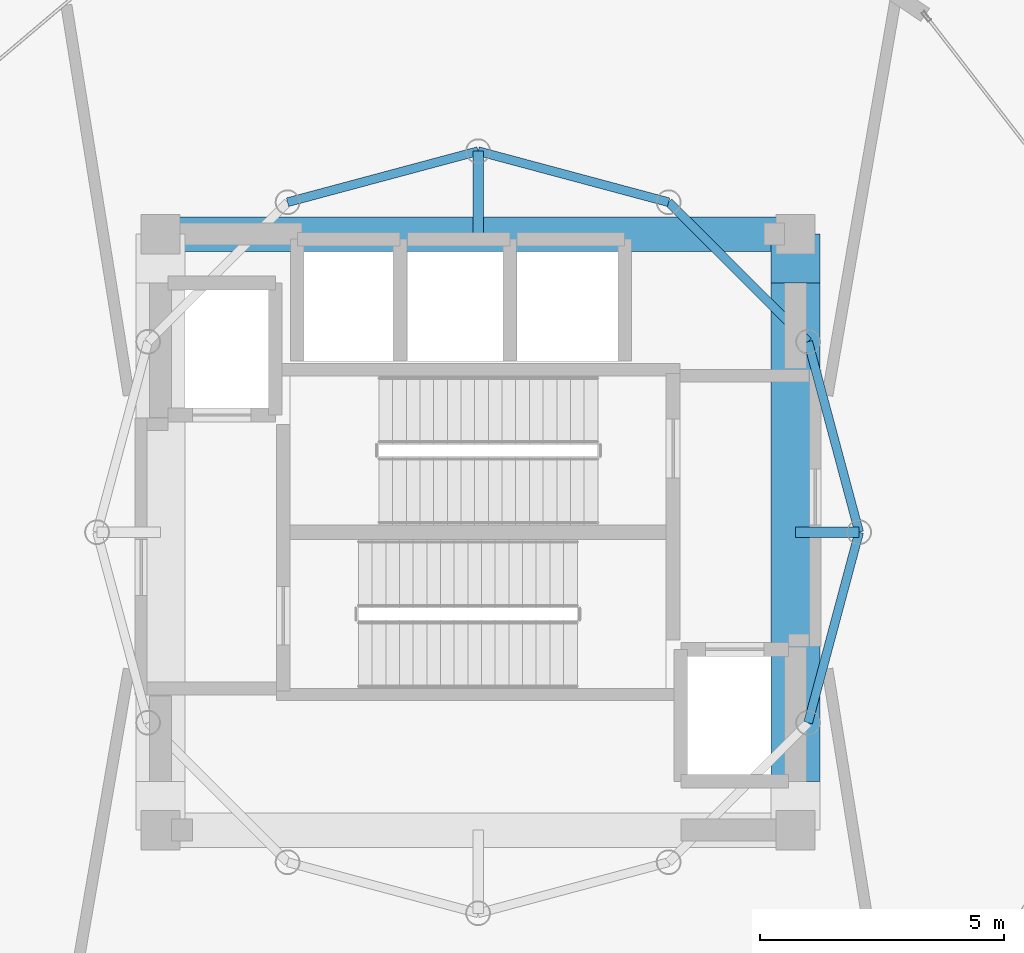
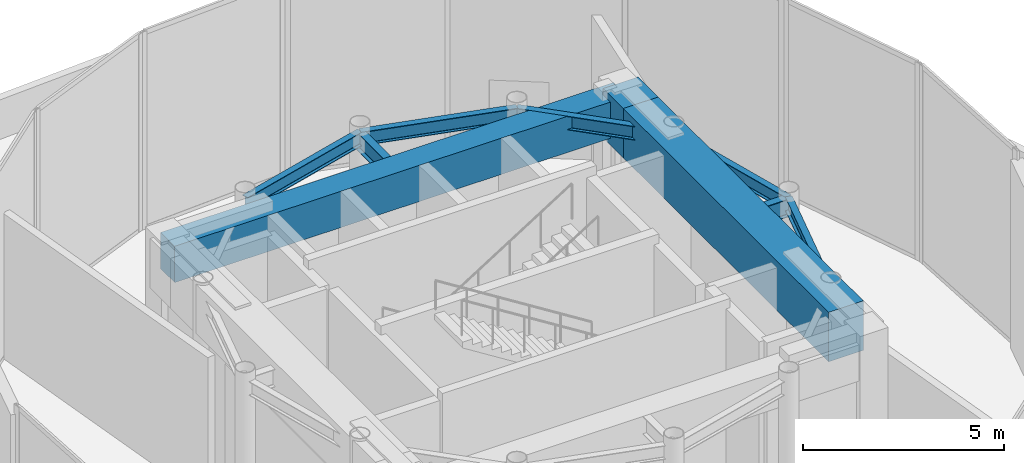
# One storey, part 6 of 12: 10 beams.
"""IFC4 building model written with IfcOpenShell, lengths in metres."""

from ifc_helpers import new_model, si_unit, direction, frame, origin, origin_2d, place, context, subcontext, project, spatial, rectangle, i_section, extrude, material, material_profile, profile_set, type_object, element, save


model = new_model("IFC4")

# Units and contexts
model_context = context("Model", 3, precision=1e-05, world=origin(), true_north=direction((0.0, 1.0)))
body_context = subcontext(model_context, "Body", "Model", "MODEL_VIEW")
ifc_project = project(units=[si_unit("LENGTHUNIT", "METRE"), si_unit("AREAUNIT", "SQUARE_METRE"), si_unit("VOLUMEUNIT", "CUBIC_METRE"), si_unit("PLANEANGLEUNIT", "RADIAN"), si_unit("MASSUNIT", "GRAM", prefix="KILO")], contexts=[model_context])

# Site, building, storey
site_placement = place(None, origin())
site = spatial("IfcSite", under=ifc_project, at=site_placement, CompositionType="ELEMENT")
building_placement = place(site_placement, origin())
building = spatial("IfcBuilding", under=site, at=building_placement, Name="Solvirekh Grand Hotel", CompositionType="ELEMENT")
storey_placement = place(building_placement, frame((0.0, 0.0, 302.199951171875)))
storey = spatial("IfcBuildingStorey", under=building, at=storey_placement, Name="L78", CompositionType="ELEMENT", Elevation=302.199951171875)

# Beams
ifc_material_1 = material(Name="Concrete C60/75", Category="concrete")
ifc_material_profile_1 = material_profile(ifc_material_1, rectangle(XDim=0.699951171875, YDim=1.10009765625, at=origin_2d()), Name="RC BEAM 700X1100")
ifc_profile_set_1 = profile_set([ifc_material_profile_1], Name="Concrete C60/75")
beam_type_1 = type_object("IfcBeamType", Name="Beam_Core_RC1100", PredefinedType="BEAM", material=ifc_profile_set_1)
beam_1_placement = place(storey_placement, frame((6.5, 6.10009765625, 5.170166015625), z_axis=(-1.0, 0.0, 0.0), x_axis=(0.0, -1.0, 0.0)))
element("IfcBeam", 1, at=beam_1_placement, inside=storey, type_object=beam_type_1, Name="L78 core coupling ring beam 3", PredefinedType="BEAM", context=body_context, shape_type="SweptSolid", body=[
    extrude(rectangle(XDim=0.699951171875, YDim=1.10009765625, at=origin_2d()), origin(), (0.0, 0.0, 1.0), 13.0),
])
ifc_material_2 = material(Name="Steel S355", Category="steel")
ifc_material_profile_2 = material_profile(ifc_material_2, i_section(OverallWidth=0.2119140625, OverallDepth=0.5439453125, WebThickness=0.011962890625, FlangeThickness=0.01904296875, FilletRadius=0.013916015625, at=origin_2d()), Name="W530X123")
ifc_profile_set_2 = profile_set([ifc_material_profile_2], Name="Steel S355")
beam_type_2 = type_object("IfcBeamType", Name="Beam_Radial_W530H", PredefinedType="BEAM", material=ifc_profile_set_2)
beam_2_placement = place(storey_placement, frame((6.5, 0.0, 5.447998046875), z_axis=(1.0, 0.0, 0.0), x_axis=(0.0, 1.0, 0.0)))
element("IfcBeam", 2, at=beam_2_placement, inside=storey, type_object=beam_type_2, Name="L78 radial floor beam R01", PredefinedType="BEAM", context=body_context, shape_type="SweptSolid", body=[
    extrude(i_section(OverallWidth=0.2119140625, OverallDepth=0.5439453125, WebThickness=0.011962890625, FlangeThickness=0.01904296875, FilletRadius=0.013916015625, at=origin_2d()), origin(), (0.0, 0.0, 1.0), 1.300048828125),
])
beam_3_placement = place(storey_placement, frame((0.0, 6.10009765625, 5.447998046875), z_axis=(0.0, 1.0, 0.0), x_axis=(-1.0, 0.0, 0.0)))
element("IfcBeam", 3, at=beam_3_placement, inside=storey, type_object=beam_type_2, Name="L78 radial floor beam R04", PredefinedType="BEAM", context=body_context, shape_type="SweptSolid", body=[
    extrude(i_section(OverallWidth=0.2119140625, OverallDepth=0.5439453125, WebThickness=0.011962890625, FlangeThickness=0.01904296875, FilletRadius=0.013916015625, at=origin_2d()), origin(), (0.0, 0.0, 1.0), 1.699951171875),
])
ifc_material_profile_3 = material_profile(ifc_material_2, i_section(OverallWidth=0.180908203125, OverallDepth=0.4169921875, WebThickness=0.010009765625, FlangeThickness=0.01611328125, FilletRadius=0.011962890625, at=origin_2d()), Name="W410X85")
ifc_profile_set_3 = profile_set([ifc_material_profile_3], Name="Steel S355")
beam_type_3 = type_object("IfcBeamType", Name="Spandrel_Ring_W410", PredefinedType="SPANDREL", material=ifc_profile_set_3)
for number, where, z_axis, x_axis, name in (
    (4, (7.800048828125, 0.0, 5.511962890625), (-0.258863027773, 0.965914040095, 0.0), (-0.965914040095, -0.258863027773, 0.0), "L78 perimeter spandrel beam 1"),
    (5, (6.7548828125, 3.89990234375, 5.511962890625), (-0.707106781187, 0.707106781187, 0.0), (-0.707106781187, -0.707106781187, 0.0), "L78 perimeter spandrel beam 2"),
    (6, (3.89990234375, 6.7548828125, 5.511962890625), (-0.965914040095, 0.258863027773, 0.0), (-0.258863027773, -0.965914040095, 0.0), "L78 perimeter spandrel beam 3"),
    (7, (0.0, 7.800048828125, 5.511962890625), (-0.965914040095, -0.258863027773, 0.0), (0.258863027773, -0.965914040095, 0.0), "L78 perimeter spandrel beam 4"),
    (8, (6.7548828125, -3.89990234375, 5.511962890625), (0.258863027773, 0.965914040095, 0.0), (-0.965914040095, 0.258863027773, 0.0), "L78 perimeter spandrel beam 12"),
):
    element("IfcBeam", number, at=place(storey_placement, frame(where, z_axis=z_axis, x_axis=x_axis)), inside=storey, type_object=beam_type_3, Name=name, PredefinedType="SPANDREL", context=body_context, shape_type="SweptSolid", body=[
        extrude(i_section(OverallWidth=0.180908203125, OverallDepth=0.4169921875, WebThickness=0.010009765625, FlangeThickness=0.01611328125, FilletRadius=0.011962890625, at=origin_2d()), origin(), (0.0, 0.0, 1.0), 4.03759765625),
    ])
ifc_material_3 = material(Name="Concrete C50/60", Category="concrete")
ifc_material_profile_4 = material_profile(ifc_material_3, rectangle(XDim=1.0, YDim=1.5, at=origin_2d()), Name="RC GIRDER 1000X1500")
ifc_profile_set_4 = profile_set([ifc_material_profile_4], Name="Concrete C50/60")
beam_type_4 = type_object("IfcBeamType", Name="TransferGirder_RC1500", PredefinedType="USERDEFINED", material=ifc_profile_set_4)
beam_4_placement = place(storey_placement, frame((6.5, -5.10009765625, 5.170166015625), z_axis=(0.0, 1.0, 0.0), x_axis=(-1.0, 0.0, 0.0)))
element("IfcBeam", 9, at=beam_4_placement, inside=storey, type_object=beam_type_4, Name="L78 core step transfer beam 2B", ObjectType="TRANSFER GIRDER", PredefinedType="USERDEFINED", context=body_context, shape_type="SweptSolid", body=[
    extrude(rectangle(XDim=1.0, YDim=1.5, at=origin_2d()), origin(), (0.0, 0.0, 1.0), 10.2001953125),
])
beam_5_placement = place(storey_placement, frame((6.5, 5.10009765625, 5.170166015625), z_axis=(0.0, 1.0, 0.0), x_axis=(-1.0, 0.0, 0.0)))
element("IfcBeam", 10, at=beam_5_placement, inside=storey, type_object=beam_type_4, Name="L78 core step transfer beam 2C", ObjectType="TRANSFER GIRDER", PredefinedType="USERDEFINED", context=body_context, shape_type="SweptSolid", body=[
    extrude(rectangle(XDim=1.0, YDim=1.5, at=origin_2d()), origin(), (0.0, 0.0, 1.0), 1.0),
])

save(model, "model.ifc")
